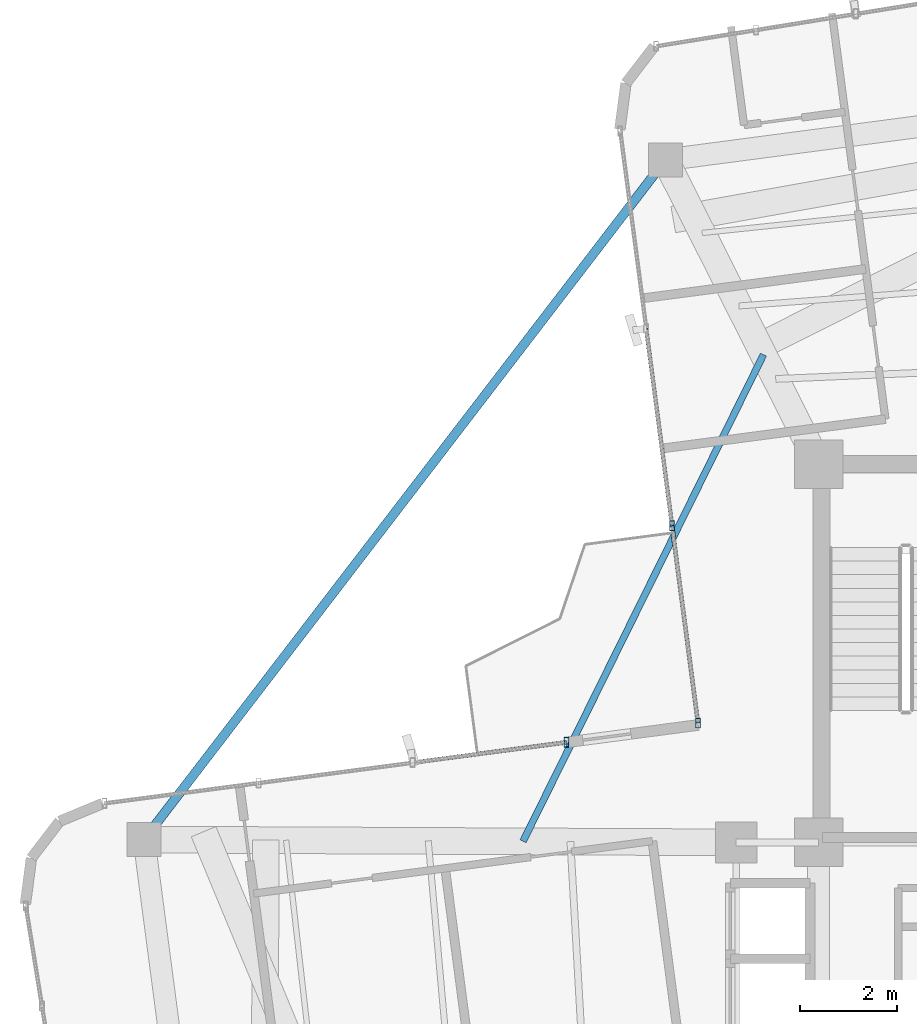
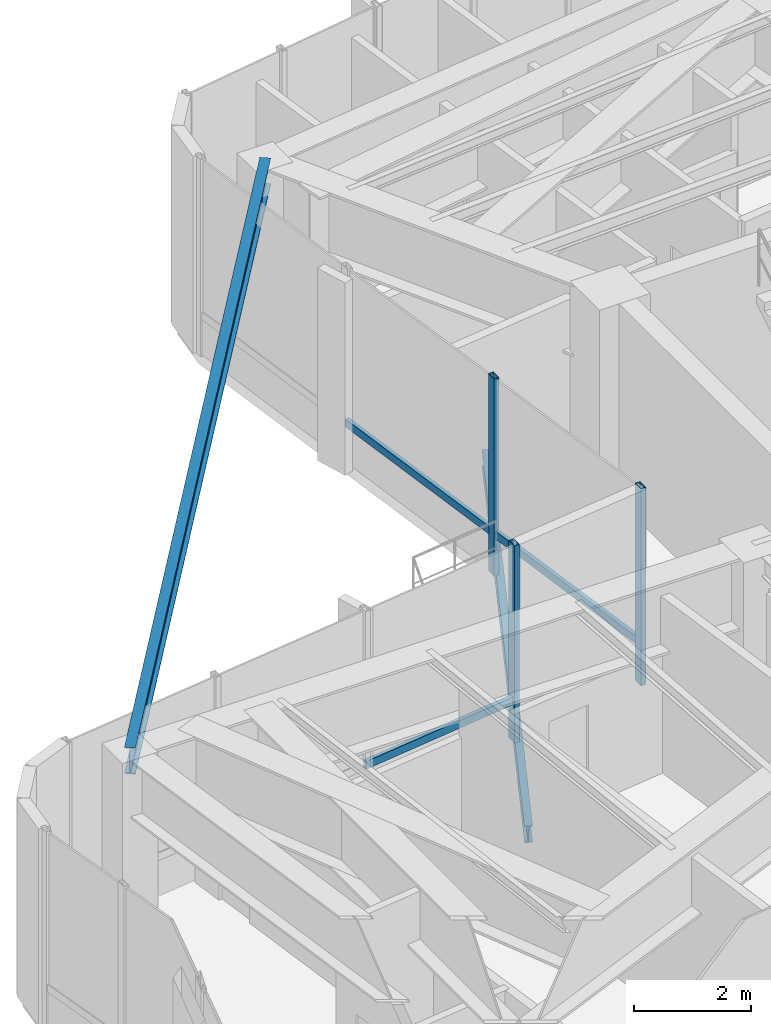
# One storey, part 5 of 18: 6 members, 2 beams, 2 elements without a shape of their own.
"""IFC4 building model written with IfcOpenShell, lengths in metres."""

from ifc_helpers import new_model, si_unit, direction, frame, origin, origin_2d, place, context, subcontext, project, spatial, hollow_rectangle, i_section, extrude, source, transform, mapped, material, material_profile, profile_set, type_object, element, aggregate, save


model = new_model("IFC4")

# Units and contexts
model_context = context("Model", 3, precision=1e-05, world=origin(), true_north=direction((0.0, 1.0)))
body_context = subcontext(model_context, "Body", "Model", "MODEL_VIEW")
ifc_project = project(units=[si_unit("LENGTHUNIT", "METRE"), si_unit("AREAUNIT", "SQUARE_METRE"), si_unit("VOLUMEUNIT", "CUBIC_METRE"), si_unit("PLANEANGLEUNIT", "RADIAN"), si_unit("MASSUNIT", "GRAM", prefix="KILO")], contexts=[model_context])

# Site, building, storey
site_placement = place(None, origin())
site = spatial("IfcSite", under=ifc_project, at=site_placement, CompositionType="ELEMENT")
building_placement = place(site_placement, origin())
building = spatial("IfcBuilding", under=site, at=building_placement, Name="Sahyath Konkavel Grand Hotel", CompositionType="ELEMENT")
storey_placement = place(building_placement, frame((0.0, 0.0, 275.800048828125)))
storey = spatial("IfcBuildingStorey", under=building, at=storey_placement, Name="L77", CompositionType="ELEMENT", Elevation=275.800048828125)

# Beam
ifc_material_1 = material(Name="Steel E350", Category="steel")
ifc_material_profile_1 = material_profile(ifc_material_1, i_section(OverallWidth=0.18994140625, OverallDepth=0.550048828125, WebThickness=0.01123046875, FlangeThickness=0.019287109375, FilletRadius=0.01806640625, at=origin_2d()), Name="ISMB 550")
ifc_profile_set_1 = profile_set([ifc_material_profile_1], Name="Steel E350")
beam_type_1 = type_object("IfcBeamType", Name="BM-ISMB550", PredefinedType="BEAM", material=ifc_profile_set_1)
shared_shape_1 = source(origin(), body_context, "Body", "SweptSolid", [
    extrude(i_section(OverallWidth=0.18994140625, OverallDepth=0.550048828125, WebThickness=0.01123046875, FlangeThickness=0.019287109375, FilletRadius=0.01806640625, at=origin_2d()), origin(), (0.0, 0.0, 1.0), 17.663330078125),
])
beam_1_placement = place(storey_placement, frame((-6.959716796875, 16.472412109375, 3.824951171875), z_axis=(-0.608754453805, -0.793358692504, 0.0), x_axis=(0.793358692504, -0.608754453805, 0.0)))
element("IfcBeam", 1, at=beam_1_placement, inside=storey, type_object=beam_type_1, Name="L77 Re-Entrant Tie Beam NW", PredefinedType="BEAM", context=body_context, shape_type="MappedRepresentation", body=[
    mapped(shared_shape_1, transform((0.0, 0.0, 0.0), scale=1.0)),
])

# Curtain wall, members
ifc_material_2 = material(Name="Anodised Bronze Aluminium & Low-E Glazing", Category="aluminium")
curtain_wall_type = type_object("IfcCurtainWallType", Name="CW-ZONE4", PredefinedType="NOTDEFINED", material=ifc_material_2)
curtain_wall_1_placement = place(storey_placement, origin())
curtain_wall_1 = element("IfcCurtainWall", 2, at=curtain_wall_1_placement, inside=storey, type_object=curtain_wall_type, Name="L77 Unitised Curtain Wall F15", PredefinedType="NOTDEFINED")
ifc_material_3 = material(Name="Anodised Bronze Aluminium", Category="aluminium")
ifc_material_profile_2 = material_profile(ifc_material_3, hollow_rectangle(XDim=0.10009765625, YDim=0.199951171875, WallThickness=0.008056640625, at=origin_2d()), Name="RHS 200x100x8")
ifc_profile_set_2 = profile_set([ifc_material_profile_2], Name="Anodised Bronze Aluminium")
member_type_1 = type_object("IfcMemberType", Name="CW-MUL-200", PredefinedType="MULLION", material=ifc_profile_set_2)
shared_shape_2 = source(origin(), body_context, "Body", "SweptSolid", [
    extrude(hollow_rectangle(XDim=0.10009765625, YDim=0.199951171875, WallThickness=0.008056640625, at=origin_2d()), origin(), (0.0, 0.0, 1.0), 4.099853515625),
])
member_1_placement = place(storey_placement, frame((-6.82373046875, 8.928955078125, 0.0), z_axis=(0.0, 0.0, 1.0), x_axis=(1.0, 0.0, 0.0)))
member_1 = element("IfcMember", 3, at=member_1_placement, type_object=member_type_1, Name="L77 Curtain Wall Mullion F15-2", PredefinedType="MULLION", context=body_context, shape_type="MappedRepresentation", body=[
    mapped(shared_shape_2, transform((0.0, 0.0, 0.0), scale=1.0)),
])
member_2_placement = place(storey_placement, frame((-6.2880859375, 4.86083984375, 0.0), z_axis=(0.0, 0.0, 1.0), x_axis=(1.0, 0.0, 0.0)))
member_2 = element("IfcMember", 4, at=member_2_placement, type_object=member_type_1, Name="L77 Curtain Wall Mullion F15-3", PredefinedType="MULLION", context=body_context, shape_type="MappedRepresentation", body=[
    mapped(shared_shape_2, transform((0.0, 0.0, 0.0), scale=1.0)),
])

curtain_wall_2_placement = place(storey_placement, origin())
curtain_wall_2 = element("IfcCurtainWall", 5, at=curtain_wall_2_placement, inside=storey, type_object=curtain_wall_type, Name="L77 Unitised Curtain Wall F16", PredefinedType="NOTDEFINED")
member_3_placement = place(storey_placement, frame((-8.99951171875, 4.46337890625, 0.0), z_axis=(0.0, 0.0, 1.0), x_axis=(1.0, 0.0, 0.0)))
member_3 = element("IfcMember", 6, at=member_3_placement, type_object=member_type_1, Name="L77 Curtain Wall Mullion F16-0", PredefinedType="MULLION", context=body_context, shape_type="MappedRepresentation", body=[
    mapped(shared_shape_2, transform((0.0, 0.0, 0.0), scale=1.0)),
])
ifc_material_profile_3 = material_profile(ifc_material_3, hollow_rectangle(XDim=0.080078125, YDim=0.159912109375, WallThickness=0.006103515625, at=origin_2d()), Name="RHS 160x80x6")
ifc_profile_set_3 = profile_set([ifc_material_profile_3], Name="Anodised Bronze Aluminium")
member_type_2 = type_object("IfcMemberType", Name="CW-TRN-160", PredefinedType="USERDEFINED", material=ifc_profile_set_3)
shared_shape_3 = source(origin(), body_context, "Body", "SweptSolid", [
    extrude(hollow_rectangle(XDim=0.080078125, YDim=0.159912109375, WallThickness=0.006103515625, at=origin_2d()), origin(), (0.0, 0.0, 1.0), 3.203369140625),
])
member_4_placement = place(storey_placement, frame((-8.99951171875, 4.46337890625, 0.849853515625), z_axis=(-0.991451441867, -0.130476198668, 0.0), x_axis=(0.130476198668, -0.991451441867, 0.0)))
member_4 = element("IfcMember", 7, at=member_4_placement, type_object=member_type_2, Name="L77 Curtain Wall Transom F16-0-spandrel", ObjectType="TRANSOM", PredefinedType="USERDEFINED", context=body_context, shape_type="MappedRepresentation", body=[
    mapped(shared_shape_3, transform((0.0, 0.0, 0.0), scale=1.0)),
])
aggregate(curtain_wall_2, [member_3, member_4])

# Member
shared_shape_4 = source(origin(), body_context, "Body", "SweptSolid", [
    extrude(hollow_rectangle(XDim=0.080078125, YDim=0.159912109375, WallThickness=0.006103515625, at=origin_2d()), origin(), (0.0, 0.0, 1.0), 4.103271484375),
])
member_5_placement = place(storey_placement, frame((-6.82373046875, 8.928955078125, 0.849853515625), z_axis=(0.130542242661, -0.991442748161, 0.0), x_axis=(0.991442748161, 0.130542242661, 0.0)))
member_5 = element("IfcMember", 8, at=member_5_placement, type_object=member_type_2, Name="L77 Curtain Wall Transom F15-2-spandrel", ObjectType="TRANSOM", PredefinedType="USERDEFINED", context=body_context, shape_type="MappedRepresentation", body=[
    mapped(shared_shape_4, transform((0.0, 0.0, 0.0), scale=1.0)),
])

shared_shape_5 = source(origin(), body_context, "Body", "SweptSolid", [
    extrude(hollow_rectangle(XDim=0.080078125, YDim=0.159912109375, WallThickness=0.006103515625, at=origin_2d()), origin(), (0.0, 0.0, 1.0), 4.103515625),
])
member_6_placement = place(storey_placement, frame((-7.359619140625, 12.997314453125, 0.849853515625), z_axis=(0.130593024052, -0.991436060505, 0.0), x_axis=(0.991436060505, 0.130593024052, 0.0)))
member_6 = element("IfcMember", 9, at=member_6_placement, type_object=member_type_2, Name="L77 Curtain Wall Transom F15-1-spandrel", ObjectType="TRANSOM", PredefinedType="USERDEFINED", context=body_context, shape_type="MappedRepresentation", body=[
    mapped(shared_shape_5, transform((0.0, 0.0, 0.0), scale=1.0)),
])

aggregate(curtain_wall_1, [member_1, member_2, member_6, member_5])

# Beam
ifc_material_profile_4 = material_profile(ifc_material_1, i_section(OverallWidth=0.139892578125, OverallDepth=0.35009765625, WebThickness=0.008056640625, FlangeThickness=0.01416015625, FilletRadius=0.013916015625, at=origin_2d()), Name="ISMB 350")
ifc_profile_set_4 = profile_set([ifc_material_profile_4], Name="Steel E350")
beam_type_2 = type_object("IfcBeamType", Name="BM-BALC-CANT", PredefinedType="BEAM", material=ifc_profile_set_4)
shared_shape_6 = source(origin(), body_context, "Body", "SweptSolid", [
    extrude(i_section(OverallWidth=0.139892578125, OverallDepth=0.35009765625, WebThickness=0.008056640625, FlangeThickness=0.01416015625, FilletRadius=0.013916015625, at=origin_2d()), origin(), (0.0, 0.0, 1.0), 11.19482421875),
])
beam_2_placement = place(storey_placement, frame((-4.9375, 12.4580078125, -0.4150390625), z_axis=(-0.442969049107, -0.896536904725, 0.0), x_axis=(0.896536904725, -0.442969049107, 0.0)))
element("IfcBeam", 10, at=beam_2_placement, inside=storey, type_object=beam_type_2, Name="L77 Balcony Cantilever Support Beam NW", PredefinedType="BEAM", context=body_context, shape_type="MappedRepresentation", body=[
    mapped(shared_shape_6, transform((0.0, 0.0, 0.0), scale=1.0)),
])

save(model, "model.ifc")
